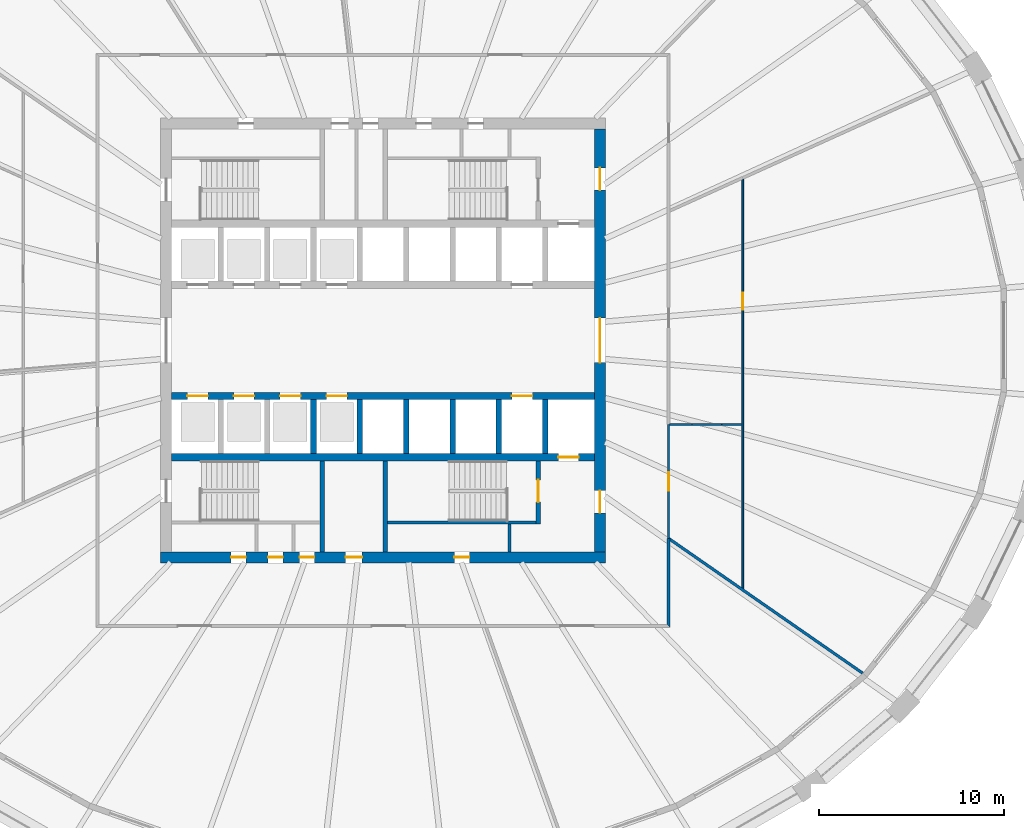
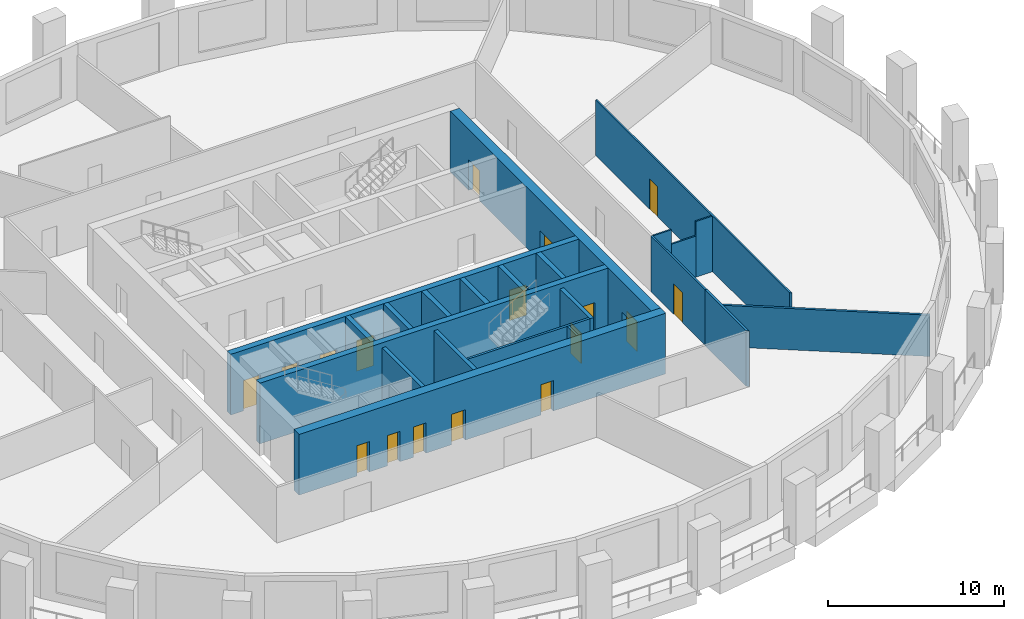
# One storey, part 4 of 10: 22 walls, 17 doors, 17 openings.
"""IFC4 building model written with IfcOpenShell, lengths in metres."""

from ifc_helpers import new_model, si_unit, direction, frame, frame_2d, origin, place, context, subcontext, project, spatial, polyline, rectangle, outline, extrude, material, layer, layer_set, type_object, element, fill, save


model = new_model("IFC4")

# Units and contexts
model_context = context("Model", 3, precision=1e-05, world=origin(), true_north=direction((0.0, 1.0)))
body_context = subcontext(model_context, "Body", "Model", "MODEL_VIEW")
ifc_project = project(units=[si_unit("LENGTHUNIT", "METRE"), si_unit("AREAUNIT", "SQUARE_METRE"), si_unit("VOLUMEUNIT", "CUBIC_METRE"), si_unit("PLANEANGLEUNIT", "RADIAN"), si_unit("MASSUNIT", "GRAM", prefix="KILO")], contexts=[model_context])

# Site, building, storey
site_placement = place(None, origin())
site = spatial("IfcSite", under=ifc_project, at=site_placement, CompositionType="ELEMENT")
building_placement = place(site_placement, origin())
building = spatial("IfcBuilding", under=site, at=building_placement, Name="Halqa Exchange Tower", CompositionType="ELEMENT")
storey_placement = place(building_placement, frame((0.0, 0.0, 94.89990234375)))
storey = spatial("IfcBuildingStorey", under=building, at=storey_placement, Name="L21", CompositionType="ELEMENT", Elevation=94.89990234375)

# Walls
ifc_material_1 = material(Name="Fire-rated gypsum board")
ifc_layer_1 = layer(ifc_material_1, 0.14990234375)
ifc_layer_set_1 = layer_set([ifc_layer_1], Name="Fire-rated gypsum board")
wall_type_1 = type_object("IfcWallType", Name="Fire partition EI 60 150", PredefinedType="PARTITIONING", material=ifc_layer_set_1)
wall_1_placement = place(storey_placement, frame((15.39990234375, -10.679931640625, 0.0), z_axis=(0.0, 0.0, 1.0), x_axis=(0.0, -1.0, 0.0)))
element("IfcWall", 1, at=wall_1_placement, inside=storey, type_object=wall_type_1, Name="L21-PWL-016", PredefinedType="PARTITIONING", context=body_context, shape_type="SweptSolid", body=[
    extrude(outline(polyline([(0.0, -0.074951171875), (1.54833984375, -0.074951171875), (3.0966796875, -0.074951171875), (4.64501953125, -0.074951171875), (4.794921875, 0.074951171875), (3.196533203125, 0.074951171875), (1.598388671875, 0.074951171875), (0.0, 0.074951171875), (0.0, -0.074951171875)])), origin(), (0.0, 0.0, 1.0), 3.85009765625),
])
wall_2_placement = place(storey_placement, frame((15.417724609375, -10.6923828125, 0.0), z_axis=(0.0, 0.0, 1.0), x_axis=(0.821423906774, -0.57031812647, 0.0)))
element("IfcWall", 2, at=wall_2_placement, inside=storey, type_object=wall_type_1, Name="L21-PWL-017", PredefinedType="PARTITIONING", context=body_context, shape_type="SweptSolid", body=[
    extrude(outline(polyline([(0.121826171875, -0.074951171875), (1.921875, -0.074951171875), (3.721923828125, -0.074951171875), (5.52197265625, -0.074951171875), (7.322021484375, -0.074951171875), (9.1220703125, -0.074951171875), (10.922119140625, -0.074951171875), (12.721923828125, -0.074951171875), (12.72216796875, -0.074462890625), (12.72216796875, 0.074951171875), (10.72705078125, 0.074951171875), (8.73193359375, 0.074951171875), (6.736572265625, 0.074951171875), (4.741455078125, 0.074951171875), (4.7373046875, 0.072021484375), (4.735107421875, 0.074951171875), (3.15673828125, 0.074951171875), (1.578369140625, 0.074951171875), (0.0, 0.074951171875), (0.0, 0.07421875), (0.027587890625, 0.0341796875), (0.0400390625, 0.042724609375), (0.121826171875, -0.074951171875)])), origin(), (0.0, 0.0, 1.0), 2.860107421875),
])

# Wall, opening, door
ifc_material_2 = material(Name="Fire-rated glazing", Category="glass")
ifc_layer_2 = layer(ifc_material_2, 0.1201171875)
ifc_layer_set_2 = layer_set([ifc_layer_2], Name="Fire-rated glazing")
wall_type_2 = type_object("IfcWallType", Name="Glazed fire partition EI 60 120", PredefinedType="PARTITIONING", material=ifc_layer_set_2)
wall_3_placement = place(storey_placement, frame((15.39990234375, -4.5400390625, 0.0), z_axis=(0.0, 0.0, 1.0), x_axis=(0.0, -1.0, 0.0)))
wall_3 = element("IfcWall", 3, at=wall_3_placement, inside=storey, type_object=wall_type_2, Name="L21-PWL-018", PredefinedType="PARTITIONING", context=body_context, shape_type="SweptSolid", body=[
    extrude(rectangle(XDim=6.139892578125, YDim=0.1201171875, at=frame_2d((3.06982421875, 0.0))), origin(), (0.0, 0.0, 1.0), 3.85009765625),
])
opening_1_placement = place(wall_3_placement, frame((2.570068359375, 0.0, 0.0)))
opening_1 = element("IfcOpeningElement", 4, at=opening_1_placement, cuts=wall_3, Name="Opening 06-01", PredefinedType="OPENING", context=body_context, shape_type="SweptSolid", body=[
    extrude(rectangle(XDim=1.0, YDim=2.10009765625, at=frame_2d((0.5, 1.050048828125))), frame((0.0, 0.072021484375, 0.0), z_axis=(0.0, -1.0, 0.0), x_axis=(1.0, 0.0, 0.0)), (0.0, 0.0, 1.0), 0.14404296875),
])
ifc_material_3 = material(Name="Steel fire door leaf", Category="steel")
door_type_1 = type_object("IfcDoorType", Name="Fire door FD30S 1000 x 2100", OperationType="SINGLE_SWING_LEFT", PredefinedType="DOOR", material=ifc_material_3)
door_1_placement = place(opening_1_placement, origin())
door_1 = element("IfcDoor", 5, at=door_1_placement, inside=storey, type_object=door_type_1, Name="L21-IDR-001", OperationType="SINGLE_SWING_RIGHT", OverallHeight=2.10009765625, OverallWidth=1.0, PredefinedType="DOOR", context=body_context, shape_type="SweptSolid", body=[
    extrude(rectangle(XDim=1.0, YDim=2.10009765625, at=frame_2d((0.5, 1.050048828125))), frame((0.0, 0.02490234375, 0.0), z_axis=(0.0, -1.0, 0.0), x_axis=(1.0, 0.0, 0.0)), (0.0, 0.0, 1.0), 0.050048828125),
])
fill(opening_1, door_1)

# Wall
ifc_material_4 = material(Name="Gypsum board")
ifc_layer_3 = layer(ifc_material_4, 0.10009765625)
ifc_layer_set_3 = layer_set([ifc_layer_3], Name="Gypsum board")
wall_type_3 = type_object("IfcWallType", Name="Partition 100 gypsum", PredefinedType="PARTITIONING", material=ifc_layer_set_3)
wall_4_placement = place(storey_placement, frame((15.46044921875, -4.5400390625, 0.0), z_axis=(0.0, 0.0, 1.0), x_axis=(1.0, 0.0, 0.0)))
element("IfcWall", 6, at=wall_4_placement, inside=storey, type_object=wall_type_3, Name="L21-PWL-020", PredefinedType="PARTITIONING", context=body_context, shape_type="SweptSolid", body=[
    extrude(outline(polyline([(1.191650390625, 0.050048828125), (0.0146484375, 0.050048828125), (0.0146484375, 0.0), (0.0, 0.0), (0.0, -0.050048828125), (1.191650390625, -0.050048828125), (1.191650390625, 0.050048828125)])), origin(), (0.0, 0.0, 1.0), 3.85009765625),
])

# Wall, opening, door
wall_5_placement = place(storey_placement, frame((19.39990234375, -13.400390625, 0.0), z_axis=(0.0, 0.0, 1.0), x_axis=(0.0, 1.0, 0.0)))
wall_5 = element("IfcWall", 7, at=wall_5_placement, inside=storey, type_object=wall_type_3, Name="L21-PWL-022", PredefinedType="PARTITIONING", context=body_context, shape_type="SweptSolid", body=[
    extrude(outline(polyline([(22.100341796875, -0.050048828125), (22.100341796875, -0.04931640625), (22.093994140625, -0.03564453125), (22.100341796875, -0.03271484375), (22.100341796875, -0.027099609375), (22.0654296875, 0.050048828125), (20.18603515625, 0.050048828125), (18.306884765625, 0.050048828125), (16.427490234375, 0.050048828125), (14.54833984375, 0.050048828125), (12.6689453125, 0.050048828125), (10.789794921875, 0.050048828125), (8.910400390625, 0.050048828125), (8.910400390625, 0.0498046875), (8.810302734375, 0.0498046875), (8.810302734375, 0.050048828125), (7.062255859375, 0.050048828125), (5.31396484375, 0.050048828125), (3.565673828125, 0.050048828125), (1.8173828125, 0.050048828125), (0.069091796875, 0.050048828125), (0.0, -0.049560546875), (0.0, -0.050048828125), (1.841796875, -0.050048828125), (3.683349609375, -0.050048828125), (5.525146484375, -0.050048828125), (7.36669921875, -0.050048828125), (9.20849609375, -0.050048828125), (11.05029296875, -0.050048828125), (12.891845703125, -0.050048828125), (14.733642578125, -0.050048828125), (16.5751953125, -0.050048828125), (18.4169921875, -0.050048828125), (20.258544921875, -0.050048828125), (22.100341796875, -0.050048828125)])), origin(), (0.0, 0.0, 1.0), 3.85009765625),
])
opening_2_placement = place(wall_5_placement, frame((15.060546875, 0.0, 0.0)))
opening_2 = element("IfcOpeningElement", 8, at=opening_2_placement, cuts=wall_5, Name="Opening 06-12", PredefinedType="OPENING", context=body_context, shape_type="SweptSolid", body=[
    extrude(rectangle(XDim=0.89990234375, YDim=2.10009765625, at=frame_2d((0.449951171875, 1.050048828125))), frame((0.0, 0.06201171875, 0.0), z_axis=(0.0, -1.0, 0.0), x_axis=(1.0, 0.0, 0.0)), (0.0, 0.0, 1.0), 0.1240234375),
])
ifc_material_5 = material(Name="Timber door leaf", Category="wood")
door_type_2 = type_object("IfcDoorType", Name="Door 900 x 2100", OperationType="SINGLE_SWING_LEFT", PredefinedType="DOOR", material=ifc_material_5)
door_2_placement = place(opening_2_placement, origin())
door_2 = element("IfcDoor", 9, at=door_2_placement, inside=storey, type_object=door_type_2, Name="L21-IDR-012", OperationType="SINGLE_SWING_LEFT", OverallHeight=2.10009765625, OverallWidth=0.89990234375, PredefinedType="DOOR", context=body_context, shape_type="SweptSolid", body=[
    extrude(rectangle(XDim=0.89990234375, YDim=2.10009765625, at=frame_2d((0.449951171875, 1.050048828125))), frame((0.0, 0.02490234375, 0.0), z_axis=(0.0, -1.0, 0.0), x_axis=(1.0, 0.0, 0.0)), (0.0, 0.0, 1.0), 0.050048828125),
])
fill(opening_2, door_2)

# Walls
wall_6_placement = place(storey_placement, frame((16.652099609375, -4.5400390625, 0.0), z_axis=(0.0, 0.0, 1.0), x_axis=(1.0, 0.0, 0.0)))
element("IfcWall", 10, at=wall_6_placement, inside=storey, type_object=wall_type_3, Name="L21-PWL-025", PredefinedType="PARTITIONING", context=body_context, shape_type="SweptSolid", body=[
    extrude(outline(polyline([(0.0, 0.050048828125), (0.0, -0.050048828125), (1.616943359375, -0.050048828125), (1.616943359375, 0.050048828125), (0.0, 0.050048828125)])), origin(), (0.0, 0.0, 1.0), 2.85009765625),
])
wall_7_placement = place(storey_placement, frame((18.26904296875, -4.5400390625, 0.0), z_axis=(0.0, 0.0, 1.0), x_axis=(1.0, 0.0, 0.0)))
element("IfcWall", 11, at=wall_7_placement, inside=storey, type_object=wall_type_3, Name="L21-PWL-026", PredefinedType="PARTITIONING", context=body_context, shape_type="SweptSolid", body=[
    extrude(outline(polyline([(0.0, -0.050048828125), (1.0810546875, -0.050048828125), (1.0810546875, 0.050048828125), (0.0, 0.050048828125), (0.0, -0.050048828125)])), origin(), (0.0, 0.0, 1.0), 3.85009765625),
])
ifc_layer_4 = layer(ifc_material_4, 0.14990234375)
ifc_layer_set_4 = layer_set([ifc_layer_4], Name="Gypsum board")
wall_type_4 = type_object("IfcWallType", Name="Penthouse riser wall 150 gypsum", PredefinedType="PARTITIONING", material=ifc_layer_set_4)
wall_8_placement = place(storey_placement, frame((6.824951171875, -11.39990234375, 0.0), z_axis=(0.0, 0.0, 1.0), x_axis=(0.0, 1.0, 0.0)))
element("IfcWall", 12, at=wall_8_placement, inside=storey, type_object=wall_type_4, Name="Firefighting lobby west wall S", PredefinedType="PARTITIONING", context=body_context, shape_type="SweptSolid", body=[
    extrude(rectangle(XDim=1.5, YDim=0.14990234375, at=frame_2d((0.75, 0.0))), origin(), (0.0, 0.0, 1.0), 3.85009765625),
])
ifc_material_6 = material(Name="Concrete C60/75", Category="concrete")
ifc_layer_5 = layer(ifc_material_6, 0.300048828125)
ifc_layer_set_5 = layer_set([ifc_layer_5], Name="Concrete C60/75")
wall_type_5 = type_object("IfcWallType", Name="RC core wall 300", PredefinedType="SHEAR", material=ifc_layer_set_5)
for number, where, z_axis, x_axis, name in (
    (13, (-3.75, -6.10009765625, 0.0), (0.0, 0.0, 1.0), (0.0, 1.0, 0.0), "Shaft divider S3"),
    (14, (-1.25, -6.10009765625, 0.0), (0.0, 0.0, 1.0), (0.0, 1.0, 0.0), "Shaft divider S4"),
    (15, (1.25, -6.10009765625, 0.0), (0.0, 0.0, 1.0), (0.0, 1.0, 0.0), "Shaft divider S5"),
    (16, (3.75, -6.10009765625, 0.0), (0.0, 0.0, 1.0), (0.0, 1.0, 0.0), "Shaft divider S6"),
    (17, (6.25, -6.10009765625, 0.0), (0.0, 0.0, 1.0), (0.0, 1.0, 0.0), "Shaft divider S7"),
    (18, (8.75, -6.10009765625, 0.0), (0.0, 0.0, 1.0), (0.0, 1.0, 0.0), "Shaft divider S8"),
):
    element("IfcWall", number, at=place(storey_placement, frame(where, z_axis=z_axis, x_axis=x_axis)), inside=storey, type_object=wall_type_5, Name=name, PredefinedType="SHEAR", context=body_context, shape_type="SweptSolid", body=[
        extrude(rectangle(XDim=2.900146484375, YDim=0.300048828125, at=frame_2d((1.4501953125, 0.0))), origin(), (0.0, 0.0, 1.0), 4.2001953125),
    ])

# Wall, openings, doors
ifc_material_7 = material(Name="Concrete C80/95", Category="concrete")
ifc_layer_6 = layer(ifc_material_7, 0.39990234375)
ifc_layer_set_6 = layer_set([ifc_layer_6], Name="Concrete C80/95")
wall_type_6 = type_object("IfcWallType", Name="RC core wall 400 C80/95", PredefinedType="SHEAR", material=ifc_layer_set_6)
wall_9_placement = place(storey_placement, frame((-11.39990234375, -3.0, 0.0), z_axis=(0.0, 0.0, 1.0), x_axis=(1.0, 0.0, 0.0)))
wall_9 = element("IfcWall", 19, at=wall_9_placement, inside=storey, type_object=wall_type_6, Name="Lift row front wall S", PredefinedType="SHEAR", context=body_context, shape_type="SweptSolid", body=[
    extrude(rectangle(XDim=22.7998046875, YDim=0.39990234375, at=frame_2d((11.39990234375, 0.0))), origin(), (0.0, 0.0, 1.0), 4.2001953125),
])
opening_3_placement = place(wall_9_placement, frame((0.85009765625, 0.0, 0.0)))
opening_3 = element("IfcOpeningElement", 20, at=opening_3_placement, cuts=wall_9, Name="Opening LD-LR5-T06", PredefinedType="OPENING", context=body_context, shape_type="SweptSolid", body=[
    extrude(rectangle(XDim=1.10009765625, YDim=2.10009765625, at=frame_2d((0.550048828125, 1.050048828125))), frame((0.0, 0.2119140625, 0.0), z_axis=(0.0, -1.0, 0.0), x_axis=(1.0, 0.0, 0.0)), (0.0, 0.0, 1.0), 0.423828125),
])
opening_4_placement = place(wall_9_placement, frame((3.35009765625, 0.0, 0.0)))
opening_4 = element("IfcOpeningElement", 21, at=opening_4_placement, cuts=wall_9, Name="Opening LD-LR6-T06", PredefinedType="OPENING", context=body_context, shape_type="SweptSolid", body=[
    extrude(rectangle(XDim=1.10009765625, YDim=2.10009765625, at=frame_2d((0.550048828125, 1.050048828125))), frame((0.0, 0.2119140625, 0.0), z_axis=(0.0, -1.0, 0.0), x_axis=(1.0, 0.0, 0.0)), (0.0, 0.0, 1.0), 0.423828125),
])
opening_5_placement = place(wall_9_placement, frame((5.85009765625, 0.0, 0.0)))
opening_5 = element("IfcOpeningElement", 22, at=opening_5_placement, cuts=wall_9, Name="Opening LD-LR7-T06", PredefinedType="OPENING", context=body_context, shape_type="SweptSolid", body=[
    extrude(rectangle(XDim=1.10009765625, YDim=2.10009765625, at=frame_2d((0.550048828125, 1.050048828125))), frame((0.0, 0.2119140625, 0.0), z_axis=(0.0, -1.0, 0.0), x_axis=(1.0, 0.0, 0.0)), (0.0, 0.0, 1.0), 0.423828125),
])
opening_6_placement = place(wall_9_placement, frame((8.35009765625, 0.0, 0.0)))
opening_6 = element("IfcOpeningElement", 23, at=opening_6_placement, cuts=wall_9, Name="Opening LD-LR8-T06", PredefinedType="OPENING", context=body_context, shape_type="SweptSolid", body=[
    extrude(rectangle(XDim=1.10009765625, YDim=2.10009765625, at=frame_2d((0.550048828125, 1.050048828125))), frame((0.0, 0.2119140625, 0.0), z_axis=(0.0, -1.0, 0.0), x_axis=(1.0, 0.0, 0.0)), (0.0, 0.0, 1.0), 0.423828125),
])
opening_7_placement = place(wall_9_placement, frame((18.35009765625, 0.0, 0.0)))
opening_7 = element("IfcOpeningElement", 24, at=opening_7_placement, cuts=wall_9, Name="Opening LD-SV2-T06", PredefinedType="OPENING", context=body_context, shape_type="SweptSolid", body=[
    extrude(rectangle(XDim=1.10009765625, YDim=2.10009765625, at=frame_2d((0.550048828125, 1.050048828125))), frame((0.0, 0.2119140625, 0.0), z_axis=(0.0, -1.0, 0.0), x_axis=(1.0, 0.0, 0.0)), (0.0, 0.0, 1.0), 0.423828125),
])
ifc_material_8 = material(Name="Stainless steel", Category="steel")
door_type_3 = type_object("IfcDoorType", Name="Lift landing door 1100 x 2100", OperationType="SLIDING_TO_LEFT", PredefinedType="DOOR", material=ifc_material_8)
door_3_placement = place(opening_3_placement, origin())
door_3 = element("IfcDoor", 25, at=door_3_placement, inside=storey, type_object=door_type_3, Name="Lift landing door LR5", OperationType="SLIDING_TO_LEFT", OverallHeight=2.10009765625, OverallWidth=1.10009765625, PredefinedType="DOOR", context=body_context, shape_type="SweptSolid", body=[
    extrude(rectangle(XDim=1.10009765625, YDim=2.10009765625, at=frame_2d((0.550048828125, 1.050048828125))), frame((0.0, 0.02490234375, 0.0), z_axis=(0.0, -1.0, 0.0), x_axis=(1.0, 0.0, 0.0)), (0.0, 0.0, 1.0), 0.050048828125),
])
fill(opening_3, door_3)
door_4_placement = place(opening_4_placement, origin())
door_4 = element("IfcDoor", 26, at=door_4_placement, inside=storey, type_object=door_type_3, Name="Lift landing door LR6", OperationType="SLIDING_TO_LEFT", OverallHeight=2.10009765625, OverallWidth=1.10009765625, PredefinedType="DOOR", context=body_context, shape_type="SweptSolid", body=[
    extrude(rectangle(XDim=1.10009765625, YDim=2.10009765625, at=frame_2d((0.550048828125, 1.050048828125))), frame((0.0, 0.02490234375, 0.0), z_axis=(0.0, -1.0, 0.0), x_axis=(1.0, 0.0, 0.0)), (0.0, 0.0, 1.0), 0.050048828125),
])
fill(opening_4, door_4)
door_5_placement = place(opening_5_placement, origin())
door_5 = element("IfcDoor", 27, at=door_5_placement, inside=storey, type_object=door_type_3, Name="Lift landing door LR7", OperationType="SLIDING_TO_LEFT", OverallHeight=2.10009765625, OverallWidth=1.10009765625, PredefinedType="DOOR", context=body_context, shape_type="SweptSolid", body=[
    extrude(rectangle(XDim=1.10009765625, YDim=2.10009765625, at=frame_2d((0.550048828125, 1.050048828125))), frame((0.0, 0.02490234375, 0.0), z_axis=(0.0, -1.0, 0.0), x_axis=(1.0, 0.0, 0.0)), (0.0, 0.0, 1.0), 0.050048828125),
])
fill(opening_5, door_5)
door_6_placement = place(opening_6_placement, origin())
door_6 = element("IfcDoor", 28, at=door_6_placement, inside=storey, type_object=door_type_3, Name="Lift landing door LR8", OperationType="SLIDING_TO_LEFT", OverallHeight=2.10009765625, OverallWidth=1.10009765625, PredefinedType="DOOR", context=body_context, shape_type="SweptSolid", body=[
    extrude(rectangle(XDim=1.10009765625, YDim=2.10009765625, at=frame_2d((0.550048828125, 1.050048828125))), frame((0.0, 0.02490234375, 0.0), z_axis=(0.0, -1.0, 0.0), x_axis=(1.0, 0.0, 0.0)), (0.0, 0.0, 1.0), 0.050048828125),
])
fill(opening_6, door_6)
door_7_placement = place(opening_7_placement, origin())
door_7 = element("IfcDoor", 29, at=door_7_placement, inside=storey, type_object=door_type_3, Name="Lift landing door SV2", OperationType="SLIDING_TO_LEFT", OverallHeight=2.10009765625, OverallWidth=1.10009765625, PredefinedType="DOOR", context=body_context, shape_type="SweptSolid", body=[
    extrude(rectangle(XDim=1.10009765625, YDim=2.10009765625, at=frame_2d((0.550048828125, 1.050048828125))), frame((0.0, 0.02490234375, 0.0), z_axis=(0.0, -1.0, 0.0), x_axis=(1.0, 0.0, 0.0)), (0.0, 0.0, 1.0), 0.050048828125),
])
fill(opening_7, door_7)

# Wall, opening, door
wall_10_placement = place(storey_placement, frame((-11.39990234375, -6.300048828125, 0.0), z_axis=(0.0, 0.0, 1.0), x_axis=(1.0, 0.0, 0.0)))
wall_10 = element("IfcWall", 30, at=wall_10_placement, inside=storey, type_object=wall_type_6, Name="Lift row back wall S", PredefinedType="SHEAR", context=body_context, shape_type="SweptSolid", body=[
    extrude(rectangle(XDim=22.7998046875, YDim=0.39990234375, at=frame_2d((11.39990234375, 0.0))), origin(), (0.0, 0.0, 1.0), 4.2001953125),
])
opening_8_placement = place(wall_10_placement, frame((20.85009765625, 0.0, 0.0)))
opening_8 = element("IfcOpeningElement", 31, at=opening_8_placement, cuts=wall_10, Name="Opening LD-FF2-T06", PredefinedType="OPENING", context=body_context, shape_type="SweptSolid", body=[
    extrude(rectangle(XDim=1.10009765625, YDim=2.10009765625, at=frame_2d((0.550048828125, 1.050048828125))), frame((0.0, 0.2119140625, 0.0), z_axis=(0.0, -1.0, 0.0), x_axis=(1.0, 0.0, 0.0)), (0.0, 0.0, 1.0), 0.423828125),
])
door_8_placement = place(opening_8_placement, origin())
door_8 = element("IfcDoor", 32, at=door_8_placement, inside=storey, type_object=door_type_3, Name="Lift landing door FF2", OperationType="SLIDING_TO_LEFT", OverallHeight=2.10009765625, OverallWidth=1.10009765625, PredefinedType="DOOR", context=body_context, shape_type="SweptSolid", body=[
    extrude(rectangle(XDim=1.10009765625, YDim=2.10009765625, at=frame_2d((0.550048828125, 1.050048828125))), frame((0.0, 0.02490234375, 0.0), z_axis=(0.0, -1.0, 0.0), x_axis=(1.0, 0.0, 0.0)), (0.0, 0.0, 1.0), 0.050048828125),
])
fill(opening_8, door_8)

# Wall, openings, doors
ifc_layer_7 = layer(ifc_material_7, 0.60009765625)
ifc_layer_set_7 = layer_set([ifc_layer_7], Name="Concrete C80/95")
wall_type_7 = type_object("IfcWallType", Name="RC core wall 600 C80/95", PredefinedType="SHEAR", material=ifc_layer_set_7)
wall_11_placement = place(storey_placement, frame((-12.0, -11.699951171875, 0.0), z_axis=(0.0, 0.0, 1.0), x_axis=(1.0, 0.0, 0.0)))
wall_11 = element("IfcWall", 33, at=wall_11_placement, inside=storey, type_object=wall_type_7, Name="Core wall south", PredefinedType="SHEAR", context=body_context, shape_type="SweptSolid", body=[
    extrude(rectangle(XDim=24.0, YDim=0.60009765625, at=frame_2d((12.0, 0.0))), origin(), (0.0, 0.0, 1.0), 4.2001953125),
])
opening_9_placement = place(wall_11_placement, frame((9.97509765625, 0.0, 0.0)))
opening_9 = element("IfcOpeningElement", 34, at=opening_9_placement, cuts=wall_11, Name="Opening T06-C26", PredefinedType="OPENING", context=body_context, shape_type="SweptSolid", body=[
    extrude(rectangle(XDim=0.89990234375, YDim=2.10009765625, at=frame_2d((0.449951171875, 1.050048828125))), frame((0.0, 0.31201171875, 0.0), z_axis=(0.0, -1.0, 0.0), x_axis=(1.0, 0.0, 0.0)), (0.0, 0.0, 1.0), 0.6240234375),
])
opening_10_placement = place(wall_11_placement, frame((3.800048828125, 0.0, 0.0)))
opening_10 = element("IfcOpeningElement", 35, at=opening_10_placement, cuts=wall_11, Name="Opening T06-C27", PredefinedType="OPENING", context=body_context, shape_type="SweptSolid", body=[
    extrude(rectangle(XDim=0.800048828125, YDim=2.10009765625, at=frame_2d((0.39990234375, 1.050048828125))), frame((0.0, 0.31201171875, 0.0), z_axis=(0.0, -1.0, 0.0), x_axis=(1.0, 0.0, 0.0)), (0.0, 0.0, 1.0), 0.6240234375),
])
opening_11_placement = place(wall_11_placement, frame((5.800048828125, 0.0, 0.0)))
opening_11 = element("IfcOpeningElement", 36, at=opening_11_placement, cuts=wall_11, Name="Opening T06-C28", PredefinedType="OPENING", context=body_context, shape_type="SweptSolid", body=[
    extrude(rectangle(XDim=0.800048828125, YDim=2.10009765625, at=frame_2d((0.39990234375, 1.050048828125))), frame((0.0, 0.31201171875, 0.0), z_axis=(0.0, -1.0, 0.0), x_axis=(1.0, 0.0, 0.0)), (0.0, 0.0, 1.0), 0.6240234375),
])
opening_12_placement = place(wall_11_placement, frame((7.5, 0.0, 0.0)))
opening_12 = element("IfcOpeningElement", 37, at=opening_12_placement, cuts=wall_11, Name="Opening T06-C29", PredefinedType="OPENING", context=body_context, shape_type="SweptSolid", body=[
    extrude(rectangle(XDim=0.800048828125, YDim=2.10009765625, at=frame_2d((0.39990234375, 1.050048828125))), frame((0.0, 0.31201171875, 0.0), z_axis=(0.0, -1.0, 0.0), x_axis=(1.0, 0.0, 0.0)), (0.0, 0.0, 1.0), 0.6240234375),
])
opening_13_placement = place(wall_11_placement, frame((15.85009765625, 0.0, 0.0)))
opening_13 = element("IfcOpeningElement", 38, at=opening_13_placement, cuts=wall_11, Name="Opening T06-C30", PredefinedType="OPENING", context=body_context, shape_type="SweptSolid", body=[
    extrude(rectangle(XDim=0.800048828125, YDim=2.10009765625, at=frame_2d((0.39990234375, 1.050048828125))), frame((0.0, 0.31201171875, 0.0), z_axis=(0.0, -1.0, 0.0), x_axis=(1.0, 0.0, 0.0)), (0.0, 0.0, 1.0), 0.6240234375),
])
ifc_material_9 = material(Name="Timber fire door leaf", Category="wood")
door_type_4 = type_object("IfcDoorType", Name="Core room door FD30 900 x 2100", OperationType="SINGLE_SWING_LEFT", PredefinedType="DOOR", material=ifc_material_9)
door_9_placement = place(opening_9_placement, origin())
door_9 = element("IfcDoor", 39, at=door_9_placement, inside=storey, type_object=door_type_4, Name="Core room door", OperationType="SINGLE_SWING_LEFT", OverallHeight=2.10009765625, OverallWidth=0.89990234375, PredefinedType="DOOR", context=body_context, shape_type="SweptSolid", body=[
    extrude(rectangle(XDim=0.89990234375, YDim=2.10009765625, at=frame_2d((0.449951171875, 1.050048828125))), frame((0.0, 0.02490234375, 0.0), z_axis=(0.0, -1.0, 0.0), x_axis=(1.0, 0.0, 0.0)), (0.0, 0.0, 1.0), 0.050048828125),
])
fill(opening_9, door_9)
door_type_5 = type_object("IfcDoorType", Name="Riser door FD60 800 x 2100", OperationType="SINGLE_SWING_LEFT", PredefinedType="DOOR", material=ifc_material_3)
door_10_placement = place(opening_10_placement, origin())
door_10 = element("IfcDoor", 40, at=door_10_placement, inside=storey, type_object=door_type_5, Name="Core room door", OperationType="SINGLE_SWING_LEFT", OverallHeight=2.10009765625, OverallWidth=0.800048828125, PredefinedType="DOOR", context=body_context, shape_type="SweptSolid", body=[
    extrude(rectangle(XDim=0.800048828125, YDim=2.10009765625, at=frame_2d((0.39990234375, 1.050048828125))), frame((0.0, 0.02490234375, 0.0), z_axis=(0.0, -1.0, 0.0), x_axis=(1.0, 0.0, 0.0)), (0.0, 0.0, 1.0), 0.050048828125),
])
fill(opening_10, door_10)
door_11_placement = place(opening_11_placement, origin())
door_11 = element("IfcDoor", 41, at=door_11_placement, inside=storey, type_object=door_type_5, Name="Core room door", OperationType="SINGLE_SWING_RIGHT", OverallHeight=2.10009765625, OverallWidth=0.800048828125, PredefinedType="DOOR", context=body_context, shape_type="SweptSolid", body=[
    extrude(rectangle(XDim=0.800048828125, YDim=2.10009765625, at=frame_2d((0.39990234375, 1.050048828125))), frame((0.0, 0.02490234375, 0.0), z_axis=(0.0, -1.0, 0.0), x_axis=(1.0, 0.0, 0.0)), (0.0, 0.0, 1.0), 0.050048828125),
])
fill(opening_11, door_11)
door_12_placement = place(opening_12_placement, origin())
door_12 = element("IfcDoor", 42, at=door_12_placement, inside=storey, type_object=door_type_5, Name="Core room door", OperationType="SINGLE_SWING_RIGHT", OverallHeight=2.10009765625, OverallWidth=0.800048828125, PredefinedType="DOOR", context=body_context, shape_type="SweptSolid", body=[
    extrude(rectangle(XDim=0.800048828125, YDim=2.10009765625, at=frame_2d((0.39990234375, 1.050048828125))), frame((0.0, 0.02490234375, 0.0), z_axis=(0.0, -1.0, 0.0), x_axis=(1.0, 0.0, 0.0)), (0.0, 0.0, 1.0), 0.050048828125),
])
fill(opening_12, door_12)
door_13_placement = place(opening_13_placement, origin())
door_13 = element("IfcDoor", 43, at=door_13_placement, inside=storey, type_object=door_type_5, Name="Core room door", OperationType="SINGLE_SWING_LEFT", OverallHeight=2.10009765625, OverallWidth=0.800048828125, PredefinedType="DOOR", context=body_context, shape_type="SweptSolid", body=[
    extrude(rectangle(XDim=0.800048828125, YDim=2.10009765625, at=frame_2d((0.39990234375, 1.050048828125))), frame((0.0, 0.02490234375, 0.0), z_axis=(0.0, -1.0, 0.0), x_axis=(1.0, 0.0, 0.0)), (0.0, 0.0, 1.0), 0.050048828125),
])
fill(opening_13, door_13)

wall_12_placement = place(storey_placement, frame((11.699951171875, -11.39990234375, 0.0), z_axis=(0.0, 0.0, 1.0), x_axis=(0.0, 1.0, 0.0)))
wall_12 = element("IfcWall", 44, at=wall_12_placement, inside=storey, type_object=wall_type_7, Name="Core wall east", PredefinedType="SHEAR", context=body_context, shape_type="SweptSolid", body=[
    extrude(rectangle(XDim=22.7998046875, YDim=0.60009765625, at=frame_2d((11.39990234375, 0.0))), origin(), (0.0, 0.0, 1.0), 4.2001953125),
])
opening_14_placement = place(wall_12_placement, frame((10.199951171875, 0.0, 0.0)))
opening_14 = element("IfcOpeningElement", 45, at=opening_14_placement, cuts=wall_12, Name="Opening T06-C14", PredefinedType="OPENING", context=body_context, shape_type="SweptSolid", body=[
    extrude(rectangle(XDim=2.39990234375, YDim=2.10009765625, at=frame_2d((1.199951171875, 1.050048828125))), frame((0.0, 0.31201171875, 0.0), z_axis=(0.0, -1.0, 0.0), x_axis=(1.0, 0.0, 0.0)), (0.0, 0.0, 1.0), 0.6240234375),
])
opening_15_placement = place(wall_12_placement, frame((19.5, 0.0, 0.0)))
opening_15 = element("IfcOpeningElement", 46, at=opening_15_placement, cuts=wall_12, Name="Opening T06-C19", PredefinedType="OPENING", context=body_context, shape_type="SweptSolid", body=[
    extrude(rectangle(XDim=1.199951171875, YDim=2.10009765625, at=frame_2d((0.60009765625, 1.050048828125))), frame((0.0, 0.31201171875, 0.0), z_axis=(0.0, -1.0, 0.0), x_axis=(1.0, 0.0, 0.0)), (0.0, 0.0, 1.0), 0.6240234375),
])
opening_16_placement = place(wall_12_placement, frame((2.10009765625, 0.0, 0.0)))
opening_16 = element("IfcOpeningElement", 47, at=opening_16_placement, cuts=wall_12, Name="Opening T06-C20", PredefinedType="OPENING", context=body_context, shape_type="SweptSolid", body=[
    extrude(rectangle(XDim=1.199951171875, YDim=2.10009765625, at=frame_2d((0.60009765625, 1.050048828125))), frame((0.0, 0.31201171875, 0.0), z_axis=(0.0, -1.0, 0.0), x_axis=(1.0, 0.0, 0.0)), (0.0, 0.0, 1.0), 0.6240234375),
])
door_type_6 = type_object("IfcDoorType", Name="Firefighting lobby door FD90 1200 x 2100", OperationType="SINGLE_SWING_RIGHT", PredefinedType="DOOR", material=ifc_material_3)
door_14_placement = place(opening_15_placement, origin())
door_14 = element("IfcDoor", 48, at=door_14_placement, inside=storey, type_object=door_type_6, Name="Firefighting lobby door", OperationType="SINGLE_SWING_RIGHT", OverallHeight=2.10009765625, OverallWidth=1.199951171875, PredefinedType="DOOR", context=body_context, shape_type="SweptSolid", body=[
    extrude(rectangle(XDim=1.199951171875, YDim=2.10009765625, at=frame_2d((0.60009765625, 1.050048828125))), frame((0.0, 0.02490234375, 0.0), z_axis=(0.0, -1.0, 0.0), x_axis=(1.0, 0.0, 0.0)), (0.0, 0.0, 1.0), 0.050048828125),
])
fill(opening_15, door_14)
door_15_placement = place(opening_16_placement, origin())
door_15 = element("IfcDoor", 49, at=door_15_placement, inside=storey, type_object=door_type_6, Name="Firefighting lobby door", OperationType="SINGLE_SWING_LEFT", OverallHeight=2.10009765625, OverallWidth=1.199951171875, PredefinedType="DOOR", context=body_context, shape_type="SweptSolid", body=[
    extrude(rectangle(XDim=1.199951171875, YDim=2.10009765625, at=frame_2d((0.60009765625, 1.050048828125))), frame((0.0, 0.02490234375, 0.0), z_axis=(0.0, -1.0, 0.0), x_axis=(1.0, 0.0, 0.0)), (0.0, 0.0, 1.0), 0.050048828125),
])
fill(opening_16, door_15)
door_type_7 = type_object("IfcDoorType", Name="Lobby double door FD60 2400 x 2100", OperationType="DOUBLE_DOOR_SINGLE_SWING", PredefinedType="DOOR", material=ifc_material_3)
door_16_placement = place(opening_14_placement, origin())
door_16 = element("IfcDoor", 50, at=door_16_placement, inside=storey, type_object=door_type_7, Name="Lift lobby double door", OperationType="DOUBLE_DOOR_SINGLE_SWING", OverallHeight=2.10009765625, OverallWidth=2.39990234375, PredefinedType="DOOR", context=body_context, shape_type="SweptSolid", body=[
    extrude(rectangle(XDim=2.39990234375, YDim=2.10009765625, at=frame_2d((1.199951171875, 1.050048828125))), frame((0.0, 0.02490234375, 0.0), z_axis=(0.0, -1.0, 0.0), x_axis=(1.0, 0.0, 0.0)), (0.0, 0.0, 1.0), 0.050048828125),
])
fill(opening_14, door_16)

# Walls
ifc_material_10 = material(Name="Concrete C30/37", Category="concrete")
ifc_layer_8 = layer(ifc_material_10, 0.14990234375)
ifc_layer_set_8 = layer_set([ifc_layer_8], Name="Concrete C30/37")
wall_type_8 = type_object("IfcWallType", Name="RC stair wall 150 C30/37", PredefinedType="SHEAR", material=ifc_layer_set_8)
wall_13_placement = place(storey_placement, frame((0.25, -9.824951171875, 0.0), z_axis=(0.0, 0.0, 1.0), x_axis=(1.0, 0.0, 0.0)))
element("IfcWall", 51, at=wall_13_placement, inside=storey, type_object=wall_type_8, Name="Stair ST2 north wall S", PredefinedType="SHEAR", context=body_context, shape_type="SweptSolid", body=[
    extrude(rectangle(XDim=8.0, YDim=0.14990234375, at=frame_2d((4.0, 0.0))), origin(), (0.0, 0.0, 1.0), 3.85009765625),
])
ifc_layer_9 = layer(ifc_material_10, 0.25)
ifc_layer_set_9 = layer_set([ifc_layer_9], Name="Concrete C30/37")
wall_type_9 = type_object("IfcWallType", Name="RC stair wall 250 C30/37", PredefinedType="SHEAR", material=ifc_layer_set_9)
for number, where, z_axis, x_axis, name in (
    (52, (-3.27490234375, -11.39990234375, 0.0), (0.0, 0.0, 1.0), (0.0, 1.0, 0.0), "Stair ST1 east wall S"),
    (53, (0.125, -11.39990234375, 0.0), (0.0, 0.0, 1.0), (0.0, 1.0, 0.0), "Stair ST2 west wall S"),
):
    element("IfcWall", number, at=place(storey_placement, frame(where, z_axis=z_axis, x_axis=x_axis)), inside=storey, type_object=wall_type_9, Name=name, PredefinedType="SHEAR", context=body_context, shape_type="SweptSolid", body=[
        extrude(rectangle(XDim=4.89990234375, YDim=0.25, at=frame_2d((2.449951171875, 0.0))), origin(), (0.0, 0.0, 1.0), 3.85009765625),
    ])

# Wall, opening, door
wall_14_placement = place(storey_placement, frame((8.375, -9.89990234375, 0.0), z_axis=(0.0, 0.0, 1.0), x_axis=(0.0, 1.0, 0.0)))
wall_14 = element("IfcWall", 54, at=wall_14_placement, inside=storey, type_object=wall_type_9, Name="Stair ST2 east wall S", PredefinedType="SHEAR", context=body_context, shape_type="SweptSolid", body=[
    extrude(rectangle(XDim=3.39990234375, YDim=0.25, at=frame_2d((1.699951171875, 0.0))), origin(), (0.0, 0.0, 1.0), 3.85009765625),
])
opening_17_placement = place(wall_14_placement, frame((1.175048828125, 0.0, 0.0)))
opening_17 = element("IfcOpeningElement", 55, at=opening_17_placement, cuts=wall_14, Name="Opening T06-C18", PredefinedType="OPENING", context=body_context, shape_type="SweptSolid", body=[
    extrude(rectangle(XDim=1.199951171875, YDim=2.10009765625, at=frame_2d((0.60009765625, 1.050048828125))), frame((0.0, 0.136962890625, 0.0), z_axis=(0.0, -1.0, 0.0), x_axis=(1.0, 0.0, 0.0)), (0.0, 0.0, 1.0), 0.27392578125),
])
door_type_8 = type_object("IfcDoorType", Name="Stair door FD90 1200 x 2100", OperationType="SINGLE_SWING_LEFT", PredefinedType="DOOR", material=ifc_material_3)
door_17_placement = place(opening_17_placement, origin())
door_17 = element("IfcDoor", 56, at=door_17_placement, inside=storey, type_object=door_type_8, Name="Stair door ST4", OperationType="SINGLE_SWING_LEFT", OverallHeight=2.10009765625, OverallWidth=1.199951171875, PredefinedType="DOOR", context=body_context, shape_type="SweptSolid", body=[
    extrude(rectangle(XDim=1.199951171875, YDim=2.10009765625, at=frame_2d((0.60009765625, 1.050048828125))), frame((0.0, 0.02490234375, 0.0), z_axis=(0.0, -1.0, 0.0), x_axis=(1.0, 0.0, 0.0)), (0.0, 0.0, 1.0), 0.050048828125),
])
fill(opening_17, door_17)

save(model, "model.ifc")
